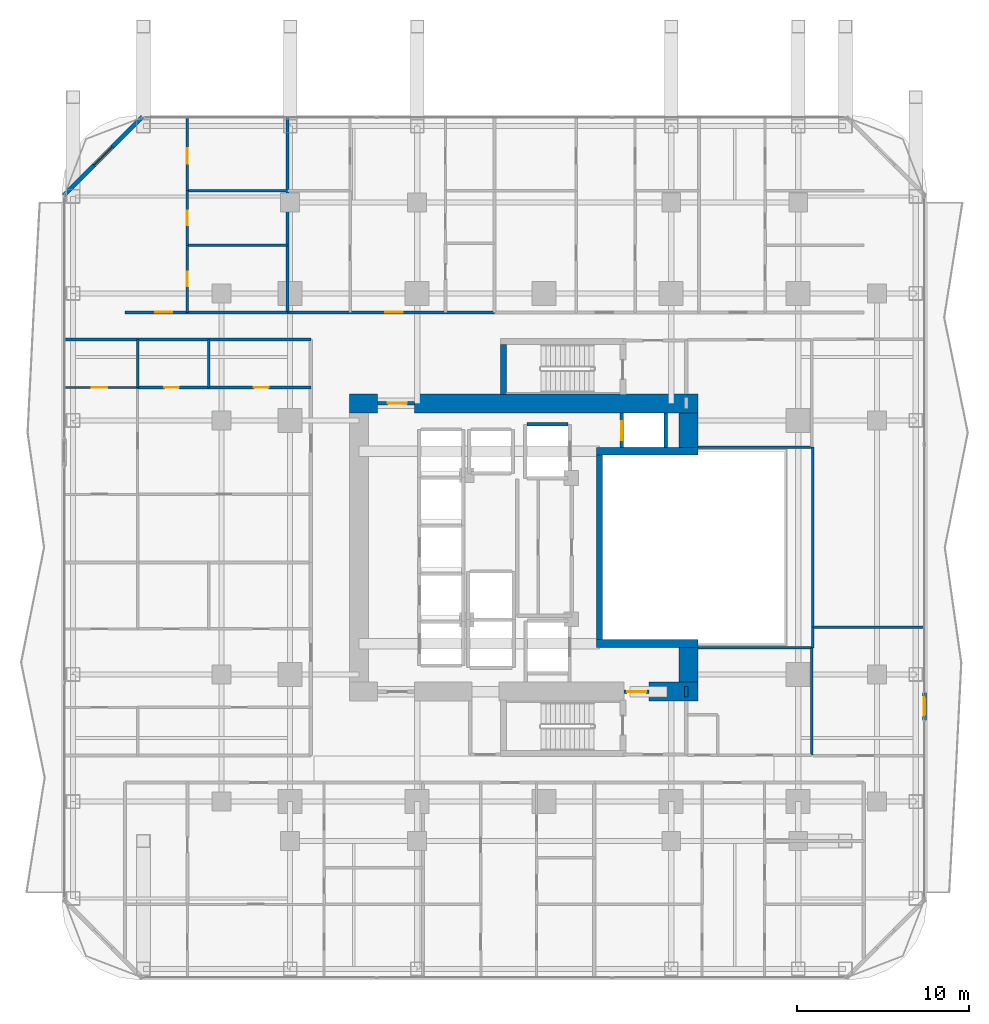
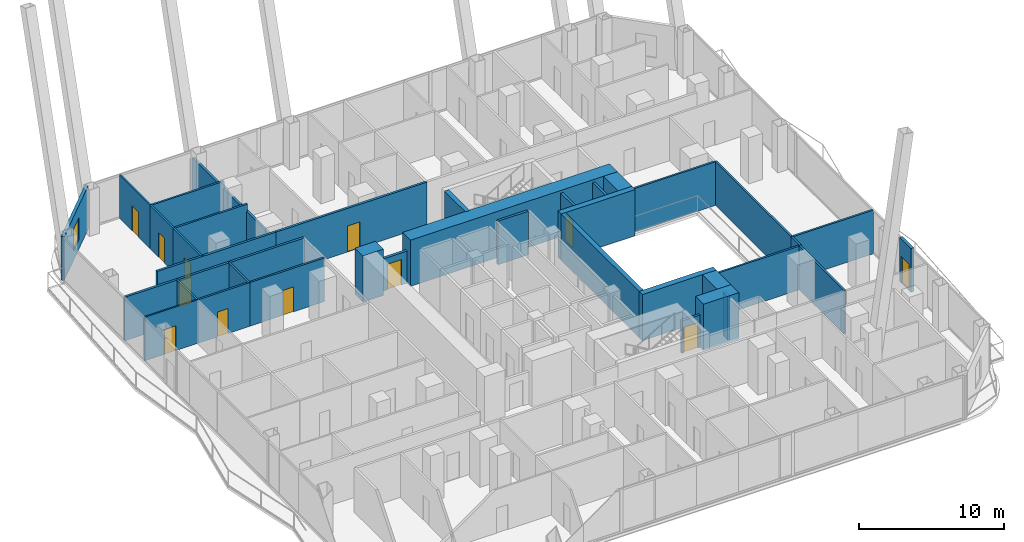
# One storey, part 26 of 33: 37 walls, 12 doors, 1 window, 13 openings.
"""IFC4 building model written with IfcOpenShell, lengths in metres."""

from ifc_helpers import new_model, si_unit, direction, frame, frame_2d, origin, place, context, subcontext, project, spatial, rectangle, extrude, material, layer, layer_set, type_object, element, fill, save


model = new_model("IFC4")

# Units and contexts
model_context = context("Model", 3, precision=1e-05, world=origin(), true_north=direction((0.0, 1.0)))
body_context = subcontext(model_context, "Body", "Model", "MODEL_VIEW")
ifc_project = project(units=[si_unit("LENGTHUNIT", "METRE"), si_unit("AREAUNIT", "SQUARE_METRE"), si_unit("VOLUMEUNIT", "CUBIC_METRE"), si_unit("PLANEANGLEUNIT", "RADIAN"), si_unit("MASSUNIT", "GRAM", prefix="KILO")], contexts=[model_context])

# Site, building, storey
site_placement = place(None, origin())
site = spatial("IfcSite", under=ifc_project, at=site_placement, CompositionType="ELEMENT")
building_placement = place(site_placement, origin())
building = spatial("IfcBuilding", under=site, at=building_placement, Name="Khorvyn Point Tower", CompositionType="ELEMENT")
storey_placement = place(building_placement, frame((0.0, 0.0, 65.699951171875)))
storey = spatial("IfcBuildingStorey", under=building, at=storey_placement, Name="L17", CompositionType="ELEMENT", Elevation=65.699951171875)

# Wall, opening, door
ifc_material_1 = material(Name="Double acoustic gypsum on twin steel stud", Category="steel")
ifc_layer_1 = layer(ifc_material_1, 0.179931640625)
ifc_layer_set_1 = layer_set([ifc_layer_1], Name="Acoustic Double-Stud Apartment Demising Wall 180")
wall_type_1 = type_object("IfcWallType", Name="Acoustic Double-Stud Apartment Demising Wall 180", PredefinedType="PARTITIONING", material=ifc_layer_set_1)
wall_1_placement = place(storey_placement, frame((-24.419921875, 13.699951171875, 0.0), z_axis=(0.0, 0.0, 1.0), x_axis=(1.0, 0.0, 0.0)))
wall_1 = element("IfcWall", 1, at=wall_1_placement, inside=storey, type_object=wall_type_1, Name="Wall", PredefinedType="PARTITIONING", context=body_context, shape_type="SweptSolid", body=[
    extrude(rectangle(XDim=9.468994140625, YDim=0.179931640625, at=frame_2d((4.734375, 0.0))), origin(), (0.0, 0.0, 1.0), 3.679931640625),
])
opening_1_placement = place(wall_1_placement, frame((1.75439453125, 0.0, 0.0)))
opening_1 = element("IfcOpeningElement", 2, at=opening_1_placement, cuts=wall_1, Name="Opening ID-AP60", PredefinedType="OPENING", context=body_context, shape_type="SweptSolid", body=[
    extrude(rectangle(XDim=1.0, YDim=2.199951171875, at=frame_2d((0.5, 1.10009765625))), frame((0.0, 0.099853515625, 0.0), z_axis=(0.0, -1.0, 0.0), x_axis=(1.0, 0.0, 0.0)), (0.0, 0.0, 1.0), 0.199951171875),
])
ifc_material_2 = material(Name="Engineered hardwood fire-rated leaf", Category="wood")
door_type_1 = type_object("IfcDoorType", Name="Acoustic Solid-Core Timber Apartment Entrance Door 1000x2200", OperationType="NOTDEFINED", PredefinedType="DOOR", material=ifc_material_2)
door_1_placement = place(opening_1_placement, origin())
door_1 = element("IfcDoor", 3, at=door_1_placement, inside=storey, type_object=door_type_1, Name="Door", OperationType="SINGLE_SWING_RIGHT", OverallHeight=2.199951171875, OverallWidth=1.0, PredefinedType="DOOR", context=body_context, shape_type="SweptSolid", body=[
    extrude(rectangle(XDim=1.0, YDim=2.199951171875, at=frame_2d((0.5, 1.10009765625))), frame((0.0, 0.02490234375, 0.0), z_axis=(0.0, -1.0, 0.0), x_axis=(1.0, 0.0, 0.0)), (0.0, 0.0, 1.0), 0.050048828125),
])
fill(opening_1, door_1)

wall_2_placement = place(storey_placement, frame((-14.950927734375, 13.699951171875, 0.0), z_axis=(0.0, 0.0, 1.0), x_axis=(1.0, 0.0, 0.0)))
wall_2 = element("IfcWall", 4, at=wall_2_placement, inside=storey, type_object=wall_type_1, Name="Wall", PredefinedType="PARTITIONING", context=body_context, shape_type="SweptSolid", body=[
    extrude(rectangle(XDim=12.051025390625, YDim=0.179931640625, at=frame_2d((6.025390625, 0.0))), origin(), (0.0, 0.0, 1.0), 3.679931640625),
])
opening_2_placement = place(wall_2_placement, frame((5.704345703125, 0.0, 0.0)))
opening_2 = element("IfcOpeningElement", 5, at=opening_2_placement, cuts=wall_2, Name="Opening ID-AP60", PredefinedType="OPENING", context=body_context, shape_type="SweptSolid", body=[
    extrude(rectangle(XDim=1.0, YDim=2.199951171875, at=frame_2d((0.5, 1.10009765625))), frame((0.0, 0.099853515625, 0.0), z_axis=(0.0, -1.0, 0.0), x_axis=(1.0, 0.0, 0.0)), (0.0, 0.0, 1.0), 0.199951171875),
])
door_2_placement = place(opening_2_placement, origin())
door_2 = element("IfcDoor", 6, at=door_2_placement, inside=storey, type_object=door_type_1, Name="Door", OperationType="SINGLE_SWING_RIGHT", OverallHeight=2.199951171875, OverallWidth=1.0, PredefinedType="DOOR", context=body_context, shape_type="SweptSolid", body=[
    extrude(rectangle(XDim=1.0, YDim=2.199951171875, at=frame_2d((0.5, 1.10009765625))), frame((0.0, 0.02490234375, 0.0), z_axis=(0.0, -1.0, 0.0), x_axis=(1.0, 0.0, 0.0)), (0.0, 0.0, 1.0), 0.050048828125),
])
fill(opening_2, door_2)

# Walls
wall_3_placement = place(storey_placement, frame((-14.950927734375, 13.699951171875, 0.0), z_axis=(0.0, 0.0, 1.0), x_axis=(0.0, 1.0, 0.0)))
element("IfcWall", 7, at=wall_3_placement, inside=storey, type_object=wall_type_1, Name="Wall", PredefinedType="PARTITIONING", context=body_context, shape_type="SweptSolid", body=[
    extrude(rectangle(XDim=11.330078125, YDim=0.179931640625, at=frame_2d((5.6650390625, 0.0))), origin(), (0.0, 0.0, 1.0), 3.08203125),
])
wall_4_placement = place(storey_placement, frame((-27.929931640625, 12.1201171875, 0.0), z_axis=(0.0, 0.0, 1.0), x_axis=(1.0, 0.0, 0.0)))
element("IfcWall", 8, at=wall_4_placement, inside=storey, type_object=wall_type_1, Name="Wall", PredefinedType="PARTITIONING", context=body_context, shape_type="SweptSolid", body=[
    extrude(rectangle(XDim=14.329833984375, YDim=0.179931640625, at=frame_2d((7.1650390625, 0.0))), origin(), (0.0, 0.0, 1.0), 3.679931640625),
])

# Wall, opening, door
ifc_material_3 = material(Name="Pale anodised aluminium rainscreen on steel stud", Category="steel")
ifc_layer_2 = layer(ifc_material_3, 0.239990234375)
ifc_layer_set_2 = layer_set([ifc_layer_2], Name="Anodised Aluminium Insulated Corner Spandrel Wall 240")
wall_type_2 = type_object("IfcWallType", Name="Anodised Aluminium Insulated Corner Spandrel Wall 240", PredefinedType="SOLIDWALL", material=ifc_layer_set_2)
wall_5_placement = place(storey_placement, frame((22.14990234375, -8.47802734375, 0.0), z_axis=(0.0, 0.0, 1.0), x_axis=(0.0, -1.0, 0.0)))
wall_5 = element("IfcWall", 9, at=wall_5_placement, inside=storey, type_object=wall_type_2, Name="L17 East Outdoor Threshold Wall", PredefinedType="SOLIDWALL", context=body_context, shape_type="SweptSolid", body=[
    extrude(rectangle(XDim=1.580078125, YDim=0.239990234375, at=frame_2d((0.7900390625, 0.0))), origin(), (0.0, 0.0, 1.0), 3.679931640625),
])
opening_3_placement = place(wall_5_placement, frame((0.239990234375, 0.0, 0.0)))
opening_3 = element("IfcOpeningElement", 10, at=opening_3_placement, cuts=wall_5, Name="Opening BD-1122", PredefinedType="OPENING", context=body_context, shape_type="SweptSolid", body=[
    extrude(rectangle(XDim=1.10009765625, YDim=2.199951171875, at=frame_2d((0.550048828125, 1.10009765625))), frame((0.0, 0.1298828125, 0.0), z_axis=(0.0, -1.0, 0.0), x_axis=(1.0, 0.0, 0.0)), (0.0, 0.0, 1.0), 0.260009765625),
])
ifc_material_4 = material(Name="Anodised aluminium 6063-T6 and laminated Low-E glass", Category="aluminium")
door_type_2 = type_object("IfcDoorType", Name="Glazed Balcony and Terrace Threshold Door 1100x2200", OperationType="NOTDEFINED", PredefinedType="DOOR", material=ifc_material_4)
door_3_placement = place(opening_3_placement, origin())
door_3 = element("IfcDoor", 11, at=door_3_placement, inside=storey, type_object=door_type_2, Name="L17 East Glazed Balcony Outdoor Door", OperationType="SINGLE_SWING_LEFT", OverallHeight=2.199951171875, OverallWidth=1.10009765625, PredefinedType="DOOR", context=body_context, shape_type="SweptSolid", body=[
    extrude(rectangle(XDim=1.10009765625, YDim=2.199951171875, at=frame_2d((0.550048828125, 1.10009765625))), frame((0.0, 0.02490234375, 0.0), z_axis=(0.0, -1.0, 0.0), x_axis=(1.0, 0.0, 0.0)), (0.0, 0.0, 1.0), 0.050048828125),
])
fill(opening_3, door_3)

# Wall, opening, window
wall_6_placement = place(storey_placement, frame((-27.992431640625, 20.507568359375, 0.0), z_axis=(0.0, 0.0, 1.0), x_axis=(0.707106781187, 0.707106781187, 0.0)))
wall_6 = element("IfcWall", 12, at=wall_6_placement, inside=storey, type_object=wall_type_2, Name="L17 Rounded Corner Wall NW", PredefinedType="SOLIDWALL", context=body_context, shape_type="SweptSolid", body=[
    extrude(rectangle(XDim=6.48388671875, YDim=0.239990234375, at=frame_2d((3.241943359375, 0.0))), origin(), (0.0, 0.0, 1.0), 3.679931640625),
])
opening_4_placement = place(wall_6_placement, frame((2.491943359375, 0.0, 0.800048828125)))
opening_4 = element("IfcOpeningElement", 13, at=opening_4_placement, cuts=wall_6, Name="Opening WN-1518", PredefinedType="OPENING", context=body_context, shape_type="SweptSolid", body=[
    extrude(rectangle(XDim=1.5, YDim=1.85009765625, at=frame_2d((0.75, 0.925048828125))), frame((0.0, 0.1298828125, 0.0), z_axis=(0.0, -1.0, 0.0), x_axis=(1.0, 0.0, 0.0)), (0.0, 0.0, 1.0), 0.260009765625),
])
window_type = type_object("IfcWindowType", Name="Anodised Aluminium Rounded-Corner Panoramic Window 1500x1850", PartitioningType="SINGLE_PANEL", PredefinedType="WINDOW", material=ifc_material_4)
window_placement = place(opening_4_placement, origin())
window = element("IfcWindow", 14, at=window_placement, inside=storey, type_object=window_type, Name="L17 Corner Panoramic Window NW", OverallHeight=1.85009765625, OverallWidth=1.5, PartitioningType="SINGLE_PANEL", PredefinedType="WINDOW", context=body_context, shape_type="SweptSolid", body=[
    extrude(rectangle(XDim=1.5, YDim=1.85009765625, at=frame_2d((0.75, 0.925048828125))), frame((0.0, 0.030029296875, 0.0), z_axis=(0.0, -1.0, 0.0), x_axis=(1.0, 0.0, 0.0)), (0.0, 0.0, 1.0), 0.06005859375),
])
fill(opening_4, window)

# Walls
ifc_material_5 = material(Name="Concrete C40/50", Category="concrete")
ifc_layer_3 = layer(ifc_material_5, 0.449951171875)
ifc_layer_set_3 = layer_set([ifc_layer_3], Name="Concrete C40/50 Core Shear Wall 450")
wall_type_3 = type_object("IfcWallType", Name="Concrete C40/50 Core Shear Wall 450", PredefinedType="SHEAR", material=ifc_layer_set_3)
for number, where, z_axis, x_axis, name in (
    (15, (3.044921875, -5.60009765625, 0.0), (0.0, 0.0, 1.0), (1.0, 0.0, 0.0), "Wall"),
    (16, (3.044921875, 5.60009765625, 0.0), (0.0, 0.0, 1.0), (1.0, 0.0, 0.0), "Wall"),
):
    element("IfcWall", number, at=place(storey_placement, frame(where, z_axis=z_axis, x_axis=x_axis)), inside=storey, type_object=wall_type_3, Name=name, PredefinedType="SHEAR", context=body_context, shape_type="SweptSolid", body=[
        extrude(rectangle(XDim=5.905029296875, YDim=0.449951171875, at=frame_2d((2.95263671875, 0.0))), origin(), (0.0, 0.0, 1.0), 3.900146484375),
    ])

# Wall, opening, door
ifc_layer_4 = layer(ifc_material_5, 0.199951171875)
ifc_layer_set_4 = layer_set([ifc_layer_4], Name="Concrete C40/50 Fire-Lobby Compartment Wall 200")
wall_type_4 = type_object("IfcWallType", Name="Concrete C40/50 Fire-Lobby Compartment Wall 200", PredefinedType="SOLIDWALL", material=ifc_layer_set_4)
wall_7_placement = place(storey_placement, frame((4.64990234375, -8.39990234375, 0.0), z_axis=(0.0, 0.0, 1.0), x_axis=(1.0, 0.0, 0.0)))
wall_7 = element("IfcWall", 17, at=wall_7_placement, inside=storey, type_object=wall_type_4, Name="Wall", PredefinedType="SOLIDWALL", context=body_context, shape_type="SweptSolid", body=[
    extrude(rectangle(XDim=1.47021484375, YDim=0.199951171875, at=frame_2d((0.735107421875, 0.0))), origin(), (0.0, 0.0, 1.0), 2.719970703125),
])
opening_5_placement = place(wall_7_placement, frame((0.18505859375, 0.0, 0.0)))
opening_5 = element("IfcOpeningElement", 18, at=opening_5_placement, cuts=wall_7, Name="Opening ID-FL90", PredefinedType="OPENING", context=body_context, shape_type="SweptSolid", body=[
    extrude(rectangle(XDim=1.10009765625, YDim=2.14990234375, at=frame_2d((0.550048828125, 1.074951171875))), frame((0.0, 0.10986328125, 0.0), z_axis=(0.0, -1.0, 0.0), x_axis=(1.0, 0.0, 0.0)), (0.0, 0.0, 1.0), 0.219970703125),
])
ifc_material_6 = material(Name="Galvanised powder-coated steel", Category="steel")
door_type_3 = type_object("IfcDoorType", Name="Fire-Rated Steel Lobby and Stair Door 1100x2150", OperationType="NOTDEFINED", PredefinedType="DOOR", material=ifc_material_6)
door_4_placement = place(opening_5_placement, origin())
door_4 = element("IfcDoor", 19, at=door_4_placement, inside=storey, type_object=door_type_3, Name="Door", OperationType="SINGLE_SWING_RIGHT", OverallHeight=2.14990234375, OverallWidth=1.10009765625, PredefinedType="DOOR", context=body_context, shape_type="SweptSolid", body=[
    extrude(rectangle(XDim=1.10009765625, YDim=2.14990234375, at=frame_2d((0.550048828125, 1.074951171875))), frame((0.0, 0.02490234375, 0.0), z_axis=(0.0, -1.0, 0.0), x_axis=(1.0, 0.0, 0.0)), (0.0, 0.0, 1.0), 0.050048828125),
])
fill(opening_5, door_4)

wall_8_placement = place(storey_placement, frame((-9.699951171875, 8.39990234375, 0.0), z_axis=(0.0, 0.0, 1.0), x_axis=(1.0, 0.0, 0.0)))
wall_8 = element("IfcWall", 20, at=wall_8_placement, inside=storey, type_object=wall_type_4, Name="Wall", PredefinedType="SOLIDWALL", context=body_context, shape_type="SweptSolid", body=[
    extrude(rectangle(XDim=2.14990234375, YDim=0.199951171875, at=frame_2d((1.074951171875, 0.0))), origin(), (0.0, 0.0, 1.0), 2.719970703125),
])
opening_6_placement = place(wall_8_placement, frame((0.597900390625, 0.0, 0.0)))
opening_6 = element("IfcOpeningElement", 21, at=opening_6_placement, cuts=wall_8, Name="Opening ID-FL90", PredefinedType="OPENING", context=body_context, shape_type="SweptSolid", body=[
    extrude(rectangle(XDim=1.10009765625, YDim=2.14990234375, at=frame_2d((0.550048828125, 1.074951171875))), frame((0.0, 0.10986328125, 0.0), z_axis=(0.0, -1.0, 0.0), x_axis=(1.0, 0.0, 0.0)), (0.0, 0.0, 1.0), 0.219970703125),
])
door_5_placement = place(opening_6_placement, origin())
door_5 = element("IfcDoor", 22, at=door_5_placement, inside=storey, type_object=door_type_3, Name="Door", OperationType="SINGLE_SWING_LEFT", OverallHeight=2.14990234375, OverallWidth=1.10009765625, PredefinedType="DOOR", context=body_context, shape_type="SweptSolid", body=[
    extrude(rectangle(XDim=1.10009765625, YDim=2.14990234375, at=frame_2d((0.550048828125, 1.074951171875))), frame((0.0, 0.02490234375, 0.0), z_axis=(0.0, -1.0, 0.0), x_axis=(1.0, 0.0, 0.0)), (0.0, 0.0, 1.0), 0.050048828125),
])
fill(opening_6, door_5)

# Walls
wall_9_placement = place(storey_placement, frame((8.280029296875, -8.72509765625, 0.0), z_axis=(0.0, 0.0, 1.0), x_axis=(0.0, 1.0, 0.0)))
element("IfcWall", 23, at=wall_9_placement, inside=storey, type_object=wall_type_4, Name="Wall", PredefinedType="SOLIDWALL", context=body_context, shape_type="SweptSolid", body=[
    extrude(rectangle(XDim=0.625, YDim=0.199951171875, at=frame_2d((0.3125, 0.0))), origin(), (0.0, 0.0, 1.0), 3.679931640625),
])
ifc_layer_5 = layer(ifc_material_5, 0.35009765625)
ifc_layer_set_5 = layer_set([ifc_layer_5], Name="Concrete C40/50 Stair Shaft Structural Wall 350")
wall_type_5 = type_object("IfcWallType", Name="Concrete C40/50 Stair Shaft Structural Wall 350", PredefinedType="SHEAR", material=ifc_layer_set_5)
wall_10_placement = place(storey_placement, frame((3.219970703125, -5.375, 0.0), z_axis=(0.0, 0.0, 1.0), x_axis=(0.0, 1.0, 0.0)))
element("IfcWall", 24, at=wall_10_placement, inside=storey, type_object=wall_type_5, Name="Wall", PredefinedType="SHEAR", context=body_context, shape_type="SweptSolid", body=[
    extrude(rectangle(XDim=10.75, YDim=0.35009765625, at=frame_2d((5.375, 0.0))), origin(), (0.0, 0.0, 1.0), 3.900146484375),
])
wall_11_placement = place(storey_placement, frame((-2.3798828125, 8.89990234375, 0.0), z_axis=(0.0, 0.0, 1.0), x_axis=(0.0, 1.0, 0.0)))
element("IfcWall", 25, at=wall_11_placement, inside=storey, type_object=wall_type_5, Name="L17 ST-02 West Shaft Wall", PredefinedType="SHEAR", context=body_context, shape_type="SweptSolid", body=[
    extrude(rectangle(XDim=2.925048828125, YDim=0.35009765625, at=frame_2d((1.46240234375, 0.0))), origin(), (0.0, 0.0, 1.0), 3.900146484375),
])
ifc_layer_6 = layer(ifc_material_5, 0.199951171875)
ifc_layer_set_6 = layer_set([ifc_layer_6], Name="Concrete C40/50 Structural Hoistway and Stair Shaft Wall 200")
wall_type_6 = type_object("IfcWallType", Name="Concrete C40/50 Structural Hoistway and Stair Shaft Wall 200", PredefinedType="SHEAR", material=ifc_layer_set_6)
wall_12_placement = place(storey_placement, frame((-1.0, 7.175048828125, 0.0), z_axis=(0.0, 0.0, 1.0), x_axis=(1.0, 0.0, 0.0)))
element("IfcWall", 26, at=wall_12_placement, inside=storey, type_object=wall_type_6, Name="Wall", PredefinedType="SHEAR", context=body_context, shape_type="SweptSolid", body=[
    extrude(rectangle(XDim=2.39990234375, YDim=0.199951171875, at=frame_2d((1.199951171875, 0.0))), origin(), (0.0, 0.0, 1.0), 3.679931640625),
])

# Wall, opening, door
wall_13_placement = place(storey_placement, frame((4.52490234375, 5.824951171875, 0.0), z_axis=(0.0, 0.0, 1.0), x_axis=(0.0, 1.0, 0.0)))
wall_13 = element("IfcWall", 27, at=wall_13_placement, inside=storey, type_object=wall_type_6, Name="Wall", PredefinedType="SHEAR", context=body_context, shape_type="SweptSolid", body=[
    extrude(rectangle(XDim=2.025146484375, YDim=0.199951171875, at=frame_2d((1.0126953125, 0.0))), origin(), (0.0, 0.0, 1.0), 3.679931640625),
])
opening_7_placement = place(wall_13_placement, frame((0.425048828125, 0.0, 0.0)))
opening_7 = element("IfcOpeningElement", 28, at=opening_7_placement, cuts=wall_13, Name="Opening LD-1122", PredefinedType="OPENING", context=body_context, shape_type="SweptSolid", body=[
    extrude(rectangle(XDim=1.10009765625, YDim=2.199951171875, at=frame_2d((0.550048828125, 1.10009765625))), frame((0.0, 0.10986328125, 0.0), z_axis=(0.0, -1.0, 0.0), x_axis=(1.0, 0.0, 0.0)), (0.0, 0.0, 1.0), 0.219970703125),
])
ifc_material_7 = material(Name="Stainless steel 1.4301", Category="steel")
door_type_4 = type_object("IfcDoorType", Name="Stainless Steel Automatic Sliding Lift Landing Door 1100x2200", OperationType="SLIDING_TO_LEFT", PredefinedType="DOOR", material=ifc_material_7)
door_6_placement = place(opening_7_placement, origin())
door_6 = element("IfcDoor", 29, at=door_6_placement, inside=storey, type_object=door_type_4, Name="L17 FF-02 Sliding Lift Landing Door", OperationType="SLIDING_TO_LEFT", OverallHeight=2.199951171875, OverallWidth=1.10009765625, PredefinedType="DOOR", context=body_context, shape_type="SweptSolid", body=[
    extrude(rectangle(XDim=1.10009765625, YDim=2.199951171875, at=frame_2d((0.550048828125, 1.10009765625))), frame((0.0, 0.02490234375, 0.0), z_axis=(0.0, -1.0, 0.0), x_axis=(1.0, 0.0, 0.0)), (0.0, 0.0, 1.0), 0.050048828125),
])
fill(opening_7, door_6)

# Walls
wall_14_placement = place(storey_placement, frame((7.074951171875, 5.824951171875, 0.0), z_axis=(0.0, 0.0, 1.0), x_axis=(0.0, 1.0, 0.0)))
element("IfcWall", 30, at=wall_14_placement, inside=storey, type_object=wall_type_6, Name="Wall", PredefinedType="SHEAR", context=body_context, shape_type="SweptSolid", body=[
    extrude(rectangle(XDim=2.025146484375, YDim=0.199951171875, at=frame_2d((1.0126953125, 0.0))), origin(), (0.0, 0.0, 1.0), 3.679931640625),
])
ifc_material_8 = material(Name="Concrete C50/60", Category="concrete")
ifc_layer_7 = layer(ifc_material_8, 1.10009765625)
ifc_layer_set_7 = layer_set([ifc_layer_7], Name="Concrete C50/60 Core Shear Wall 1100")
wall_type_7 = type_object("IfcWallType", Name="Concrete C50/60 Core Shear Wall 1100", PredefinedType="SHEAR", material=ifc_layer_set_7)
wall_15_placement = place(storey_placement, frame((6.1201171875, -8.39990234375, 0.0), z_axis=(0.0, 0.0, 1.0), x_axis=(1.0, 0.0, 0.0)))
element("IfcWall", 31, at=wall_15_placement, inside=storey, type_object=wall_type_7, Name="Wall", PredefinedType="SHEAR", context=body_context, shape_type="SweptSolid", body=[
    extrude(rectangle(XDim=2.829833984375, YDim=1.10009765625, at=frame_2d((1.4150390625, 0.0))), origin(), (0.0, 0.0, 1.0), 3.900146484375),
])
wall_16_placement = place(storey_placement, frame((-11.35009765625, 8.39990234375, 0.0), z_axis=(0.0, 0.0, 1.0), x_axis=(1.0, 0.0, 0.0)))
element("IfcWall", 32, at=wall_16_placement, inside=storey, type_object=wall_type_7, Name="Wall", PredefinedType="SHEAR", context=body_context, shape_type="SweptSolid", body=[
    extrude(rectangle(XDim=1.650146484375, YDim=1.10009765625, at=frame_2d((0.8251953125, 0.0))), origin(), (0.0, 0.0, 1.0), 3.900146484375),
])
wall_17_placement = place(storey_placement, frame((-7.550048828125, 8.39990234375, 0.0), z_axis=(0.0, 0.0, 1.0), x_axis=(1.0, 0.0, 0.0)))
element("IfcWall", 33, at=wall_17_placement, inside=storey, type_object=wall_type_7, Name="Wall", PredefinedType="SHEAR", context=body_context, shape_type="SweptSolid", body=[
    extrude(rectangle(XDim=16.5, YDim=1.10009765625, at=frame_2d((8.25, 0.0))), origin(), (0.0, 0.0, 1.0), 3.900146484375),
])
for number, where, z_axis, x_axis, name in (
    (34, (8.39990234375, -7.85009765625, 0.0), (0.0, 0.0, 1.0), (0.0, 1.0, 0.0), "Wall"),
    (35, (8.39990234375, 5.824951171875, 0.0), (0.0, 0.0, 1.0), (0.0, 1.0, 0.0), "Wall"),
):
    element("IfcWall", number, at=place(storey_placement, frame(where, z_axis=z_axis, x_axis=x_axis)), inside=storey, type_object=wall_type_7, Name=name, PredefinedType="SHEAR", context=body_context, shape_type="SweptSolid", body=[
        extrude(rectangle(XDim=2.025146484375, YDim=1.10009765625, at=frame_2d((1.0126953125, 0.0))), origin(), (0.0, 0.0, 1.0), 3.900146484375),
    ])

# Wall, opening, door
ifc_material_9 = material(Name="Gypsum plasterboard on steel stud", Category="steel")
ifc_layer_8 = layer(ifc_material_9, 0.1201171875)
ifc_layer_set_8 = layer_set([ifc_layer_8], Name="Gypsum Acoustic Stud Room Partition Wall 120")
wall_type_8 = type_object("IfcWallType", Name="Gypsum Acoustic Stud Room Partition Wall 120", PredefinedType="PARTITIONING", material=ifc_layer_set_8)
wall_18_placement = place(storey_placement, frame((-20.797119140625, 20.7900390625, 0.0), z_axis=(0.0, 0.0, 1.0), x_axis=(0.0, 1.0, 0.0)))
wall_18 = element("IfcWall", 36, at=wall_18_placement, inside=storey, type_object=wall_type_8, Name="Wall", PredefinedType="PARTITIONING", context=body_context, shape_type="SweptSolid", body=[
    extrude(rectangle(XDim=4.239990234375, YDim=0.1201171875, at=frame_2d((2.1201171875, 0.0))), origin(), (0.0, 0.0, 1.0), 3.679931640625),
])
opening_8_placement = place(wall_18_placement, frame((1.581298828125, 0.0, 0.0)))
opening_8 = element("IfcOpeningElement", 37, at=opening_8_placement, cuts=wall_18, Name="Opening ID-RM90", PredefinedType="OPENING", context=body_context, shape_type="SweptSolid", body=[
    extrude(rectangle(XDim=0.89990234375, YDim=2.10009765625, at=frame_2d((0.449951171875, 1.050048828125))), frame((0.0, 0.070068359375, 0.0), z_axis=(0.0, -1.0, 0.0), x_axis=(1.0, 0.0, 0.0)), (0.0, 0.0, 1.0), 0.14013671875),
])
ifc_material_10 = material(Name="Engineered oak veneer timber", Category="wood")
door_type_5 = type_object("IfcDoorType", Name="Flush Engineered Timber Room Door 900x2100", OperationType="NOTDEFINED", PredefinedType="DOOR", material=ifc_material_10)
door_7_placement = place(opening_8_placement, origin())
door_7 = element("IfcDoor", 38, at=door_7_placement, inside=storey, type_object=door_type_5, Name="Door", OperationType="SINGLE_SWING_LEFT", OverallHeight=2.10009765625, OverallWidth=0.89990234375, PredefinedType="DOOR", context=body_context, shape_type="SweptSolid", body=[
    extrude(rectangle(XDim=0.89990234375, YDim=2.10009765625, at=frame_2d((0.449951171875, 1.050048828125))), frame((0.0, 0.02490234375, 0.0), z_axis=(0.0, -1.0, 0.0), x_axis=(1.0, 0.0, 0.0)), (0.0, 0.0, 1.0), 0.050048828125),
])
fill(opening_8, door_7)

wall_19_placement = place(storey_placement, frame((-27.929931640625, 9.320068359375, 0.0), z_axis=(0.0, 0.0, 1.0), x_axis=(1.0, 0.0, 0.0)))
wall_19 = element("IfcWall", 39, at=wall_19_placement, inside=storey, type_object=wall_type_8, Name="Wall", PredefinedType="PARTITIONING", context=body_context, shape_type="SweptSolid", body=[
    extrude(rectangle(XDim=4.239990234375, YDim=0.1201171875, at=frame_2d((2.1201171875, 0.0))), origin(), (0.0, 0.0, 1.0), 3.679931640625),
])
opening_9_placement = place(wall_19_placement, frame((1.581298828125, 0.0, 0.0)))
opening_9 = element("IfcOpeningElement", 40, at=opening_9_placement, cuts=wall_19, Name="Opening ID-RM90", PredefinedType="OPENING", context=body_context, shape_type="SweptSolid", body=[
    extrude(rectangle(XDim=0.89990234375, YDim=2.10009765625, at=frame_2d((0.449951171875, 1.050048828125))), frame((0.0, 0.070068359375, 0.0), z_axis=(0.0, -1.0, 0.0), x_axis=(1.0, 0.0, 0.0)), (0.0, 0.0, 1.0), 0.14013671875),
])
door_8_placement = place(opening_9_placement, origin())
door_8 = element("IfcDoor", 41, at=door_8_placement, inside=storey, type_object=door_type_5, Name="Door", OperationType="SINGLE_SWING_RIGHT", OverallHeight=2.10009765625, OverallWidth=0.89990234375, PredefinedType="DOOR", context=body_context, shape_type="SweptSolid", body=[
    extrude(rectangle(XDim=0.89990234375, YDim=2.10009765625, at=frame_2d((0.449951171875, 1.050048828125))), frame((0.0, 0.02490234375, 0.0), z_axis=(0.0, -1.0, 0.0), x_axis=(1.0, 0.0, 0.0)), (0.0, 0.0, 1.0), 0.050048828125),
])
fill(opening_9, door_8)

ifc_material_11 = material(Name="Moisture-resistant gypsum and cement board", Category="gypsum")
ifc_layer_9 = layer(ifc_material_11, 0.14990234375)
ifc_layer_set_9 = layer_set([ifc_layer_9], Name="Moisture-Resistant Wet-Room Partition Wall 150")
wall_type_9 = type_object("IfcWallType", Name="Moisture-Resistant Wet-Room Partition Wall 150", PredefinedType="PARTITIONING", material=ifc_layer_set_9)
wall_20_placement = place(storey_placement, frame((-20.797119140625, 13.699951171875, 0.0), z_axis=(0.0, 0.0, 1.0), x_axis=(0.0, 1.0, 0.0)))
wall_20 = element("IfcWall", 42, at=wall_20_placement, inside=storey, type_object=wall_type_9, Name="Wall", PredefinedType="PARTITIONING", context=body_context, shape_type="SweptSolid", body=[
    extrude(rectangle(XDim=3.899169921875, YDim=0.14990234375, at=frame_2d((1.94970703125, 0.0))), origin(), (0.0, 0.0, 1.0), 3.679931640625),
])
opening_10_placement = place(wall_20_placement, frame((1.5244140625, 0.0, 0.0)))
opening_10 = element("IfcOpeningElement", 43, at=opening_10_placement, cuts=wall_20, Name="Opening ID-WC85", PredefinedType="OPENING", context=body_context, shape_type="SweptSolid", body=[
    extrude(rectangle(XDim=0.85009765625, YDim=2.10009765625, at=frame_2d((0.425048828125, 1.050048828125))), frame((0.0, 0.0849609375, 0.0), z_axis=(0.0, -1.0, 0.0), x_axis=(1.0, 0.0, 0.0)), (0.0, 0.0, 1.0), 0.169921875),
])
ifc_material_12 = material(Name="High-pressure laminate on moisture-resistant core", Category="wood")
door_type_6 = type_object("IfcDoorType", Name="Moisture-Resistant Accessible Washroom Door 850x2100", OperationType="NOTDEFINED", PredefinedType="DOOR", material=ifc_material_12)
door_9_placement = place(opening_10_placement, origin())
door_9 = element("IfcDoor", 44, at=door_9_placement, inside=storey, type_object=door_type_6, Name="Door", OperationType="SINGLE_SWING_LEFT", OverallHeight=2.10009765625, OverallWidth=0.85009765625, PredefinedType="DOOR", context=body_context, shape_type="SweptSolid", body=[
    extrude(rectangle(XDim=0.85009765625, YDim=2.10009765625, at=frame_2d((0.425048828125, 1.050048828125))), frame((0.0, 0.02490234375, 0.0), z_axis=(0.0, -1.0, 0.0), x_axis=(1.0, 0.0, 0.0)), (0.0, 0.0, 1.0), 0.050048828125),
])
fill(opening_10, door_9)

wall_21_placement = place(storey_placement, frame((-20.797119140625, 17.59912109375, 0.0), z_axis=(0.0, 0.0, 1.0), x_axis=(0.0, 1.0, 0.0)))
wall_21 = element("IfcWall", 45, at=wall_21_placement, inside=storey, type_object=wall_type_9, Name="Wall", PredefinedType="PARTITIONING", context=body_context, shape_type="SweptSolid", body=[
    extrude(rectangle(XDim=3.19091796875, YDim=0.14990234375, at=frame_2d((1.595458984375, 0.0))), origin(), (0.0, 0.0, 1.0), 3.679931640625),
])
opening_11_placement = place(wall_21_placement, frame((1.17041015625, 0.0, 0.0)))
opening_11 = element("IfcOpeningElement", 46, at=opening_11_placement, cuts=wall_21, Name="Opening ID-WC85", PredefinedType="OPENING", context=body_context, shape_type="SweptSolid", body=[
    extrude(rectangle(XDim=0.85009765625, YDim=2.10009765625, at=frame_2d((0.425048828125, 1.050048828125))), frame((0.0, 0.0849609375, 0.0), z_axis=(0.0, -1.0, 0.0), x_axis=(1.0, 0.0, 0.0)), (0.0, 0.0, 1.0), 0.169921875),
])
door_10_placement = place(opening_11_placement, origin())
door_10 = element("IfcDoor", 47, at=door_10_placement, inside=storey, type_object=door_type_6, Name="Door", OperationType="SINGLE_SWING_RIGHT", OverallHeight=2.10009765625, OverallWidth=0.85009765625, PredefinedType="DOOR", context=body_context, shape_type="SweptSolid", body=[
    extrude(rectangle(XDim=0.85009765625, YDim=2.10009765625, at=frame_2d((0.425048828125, 1.050048828125))), frame((0.0, 0.02490234375, 0.0), z_axis=(0.0, -1.0, 0.0), x_axis=(1.0, 0.0, 0.0)), (0.0, 0.0, 1.0), 0.050048828125),
])
fill(opening_11, door_10)

wall_22_placement = place(storey_placement, frame((-23.68994140625, 9.320068359375, 0.0), z_axis=(0.0, 0.0, 1.0), x_axis=(1.0, 0.0, 0.0)))
wall_22 = element("IfcWall", 48, at=wall_22_placement, inside=storey, type_object=wall_type_9, Name="Wall", PredefinedType="PARTITIONING", context=body_context, shape_type="SweptSolid", body=[
    extrude(rectangle(XDim=4.136962890625, YDim=0.14990234375, at=frame_2d((2.068359375, 0.0))), origin(), (0.0, 0.0, 1.0), 3.679931640625),
])
opening_12_placement = place(wall_22_placement, frame((1.55615234375, 0.0, 0.0)))
opening_12 = element("IfcOpeningElement", 49, at=opening_12_placement, cuts=wall_22, Name="Opening ID-WC85", PredefinedType="OPENING", context=body_context, shape_type="SweptSolid", body=[
    extrude(rectangle(XDim=0.85009765625, YDim=2.10009765625, at=frame_2d((0.425048828125, 1.050048828125))), frame((0.0, 0.0849609375, 0.0), z_axis=(0.0, -1.0, 0.0), x_axis=(1.0, 0.0, 0.0)), (0.0, 0.0, 1.0), 0.169921875),
])
door_11_placement = place(opening_12_placement, origin())
door_11 = element("IfcDoor", 50, at=door_11_placement, inside=storey, type_object=door_type_6, Name="Door", OperationType="SINGLE_SWING_RIGHT", OverallHeight=2.10009765625, OverallWidth=0.85009765625, PredefinedType="DOOR", context=body_context, shape_type="SweptSolid", body=[
    extrude(rectangle(XDim=0.85009765625, YDim=2.10009765625, at=frame_2d((0.425048828125, 1.050048828125))), frame((0.0, 0.02490234375, 0.0), z_axis=(0.0, -1.0, 0.0), x_axis=(1.0, 0.0, 0.0)), (0.0, 0.0, 1.0), 0.050048828125),
])
fill(opening_12, door_11)

wall_23_placement = place(storey_placement, frame((-19.552978515625, 9.320068359375, 0.0), z_axis=(0.0, 0.0, 1.0), x_axis=(1.0, 0.0, 0.0)))
wall_23 = element("IfcWall", 51, at=wall_23_placement, inside=storey, type_object=wall_type_9, Name="Wall", PredefinedType="PARTITIONING", context=body_context, shape_type="SweptSolid", body=[
    extrude(rectangle(XDim=5.952880859375, YDim=0.14990234375, at=frame_2d((2.9765625, 0.0))), origin(), (0.0, 0.0, 1.0), 3.679931640625),
])
opening_13_placement = place(wall_23_placement, frame((2.64013671875, 0.0, 0.0)))
opening_13 = element("IfcOpeningElement", 52, at=opening_13_placement, cuts=wall_23, Name="Opening ID-WC85", PredefinedType="OPENING", context=body_context, shape_type="SweptSolid", body=[
    extrude(rectangle(XDim=0.85009765625, YDim=2.10009765625, at=frame_2d((0.425048828125, 1.050048828125))), frame((0.0, 0.0849609375, 0.0), z_axis=(0.0, -1.0, 0.0), x_axis=(1.0, 0.0, 0.0)), (0.0, 0.0, 1.0), 0.169921875),
])
door_12_placement = place(opening_13_placement, origin())
door_12 = element("IfcDoor", 53, at=door_12_placement, inside=storey, type_object=door_type_6, Name="Door", OperationType="SINGLE_SWING_LEFT", OverallHeight=2.10009765625, OverallWidth=0.85009765625, PredefinedType="DOOR", context=body_context, shape_type="SweptSolid", body=[
    extrude(rectangle(XDim=0.85009765625, YDim=2.10009765625, at=frame_2d((0.425048828125, 1.050048828125))), frame((0.0, 0.02490234375, 0.0), z_axis=(0.0, -1.0, 0.0), x_axis=(1.0, 0.0, 0.0)), (0.0, 0.0, 1.0), 0.050048828125),
])
fill(opening_13, door_12)

# Walls
wall_24_placement = place(storey_placement, frame((15.580078125, -12.10009765625, 0.0), z_axis=(0.0, 0.0, 1.0), x_axis=(0.0, 1.0, 0.0)))
element("IfcWall", 54, at=wall_24_placement, inside=storey, type_object=wall_type_9, Name="Wall", PredefinedType="PARTITIONING", context=body_context, shape_type="SweptSolid", body=[
    extrude(rectangle(XDim=6.25, YDim=0.14990234375, at=frame_2d((3.125, 0.0))), origin(), (0.0, 0.0, 1.0), 3.679931640625),
])
for number, where, z_axis, x_axis, name in (
    (55, (8.9599609375, -5.85009765625, 0.0), (0.0, 0.0, 1.0), (1.0, 0.0, 0.0), "Wall"),
    (56, (8.9599609375, 5.85009765625, 0.0), (0.0, 0.0, 1.0), (1.0, 0.0, 0.0), "Wall"),
):
    element("IfcWall", number, at=place(storey_placement, frame(where, z_axis=z_axis, x_axis=x_axis)), inside=storey, type_object=wall_type_9, Name=name, PredefinedType="PARTITIONING", context=body_context, shape_type="SweptSolid", body=[
        extrude(rectangle(XDim=6.6201171875, YDim=0.14990234375, at=frame_2d((3.31005859375, 0.0))), origin(), (0.0, 0.0, 1.0), 3.679931640625),
    ])
for number, where, z_axis, x_axis, name in (
    (57, (-20.797119140625, 17.59912109375, 0.0), (0.0, 0.0, 1.0), (1.0, 0.0, 0.0), "Wall"),
    (58, (-20.797119140625, 20.7900390625, 0.0), (0.0, 0.0, 1.0), (1.0, 0.0, 0.0), "Wall"),
):
    element("IfcWall", number, at=place(storey_placement, frame(where, z_axis=z_axis, x_axis=x_axis)), inside=storey, type_object=wall_type_9, Name=name, PredefinedType="PARTITIONING", context=body_context, shape_type="SweptSolid", body=[
        extrude(rectangle(XDim=5.84619140625, YDim=0.14990234375, at=frame_2d((2.923095703125, 0.0))), origin(), (0.0, 0.0, 1.0), 3.679931640625),
    ])
for number, where, z_axis, x_axis, name in (
    (59, (-19.552978515625, 9.320068359375, 0.0), (0.0, 0.0, 1.0), (0.0, 1.0, 0.0), "Wall"),
    (60, (-23.68994140625, 9.320068359375, 0.0), (0.0, 0.0, 1.0), (0.0, 1.0, 0.0), "Wall"),
):
    element("IfcWall", number, at=place(storey_placement, frame(where, z_axis=z_axis, x_axis=x_axis)), inside=storey, type_object=wall_type_9, Name=name, PredefinedType="PARTITIONING", context=body_context, shape_type="SweptSolid", body=[
        extrude(rectangle(XDim=2.800048828125, YDim=0.14990234375, at=frame_2d((1.39990234375, 0.0))), origin(), (0.0, 0.0, 1.0), 3.679931640625),
    ])
wall_25_placement = place(storey_placement, frame((15.64990234375, -5.85009765625, 0.0), z_axis=(0.0, 0.0, 1.0), x_axis=(0.0, 1.0, 0.0)))
element("IfcWall", 61, at=wall_25_placement, inside=storey, type_object=wall_type_9, Name="Wall", PredefinedType="PARTITIONING", context=body_context, shape_type="SweptSolid", body=[
    extrude(rectangle(XDim=1.2001953125, YDim=0.14990234375, at=frame_2d((0.60009765625, 0.0))), origin(), (0.0, 0.0, 1.0), 3.679931640625),
])
wall_26_placement = place(storey_placement, frame((15.64990234375, -4.64990234375, 0.0), z_axis=(0.0, 0.0, 1.0), x_axis=(0.0, 1.0, 0.0)))
element("IfcWall", 62, at=wall_26_placement, inside=storey, type_object=wall_type_9, Name="Wall", PredefinedType="PARTITIONING", context=body_context, shape_type="SweptSolid", body=[
    extrude(rectangle(XDim=10.5, YDim=0.14990234375, at=frame_2d((5.25, 0.0))), origin(), (0.0, 0.0, 1.0), 3.679931640625),
])
wall_27_placement = place(storey_placement, frame((15.64990234375, -4.64990234375, 0.0), z_axis=(0.0, 0.0, 1.0), x_axis=(1.0, 0.0, 0.0)))
element("IfcWall", 63, at=wall_27_placement, inside=storey, type_object=wall_type_9, Name="Wall", PredefinedType="PARTITIONING", context=body_context, shape_type="SweptSolid", body=[
    extrude(rectangle(XDim=6.47998046875, YDim=0.14990234375, at=frame_2d((3.239990234375, 0.0))), origin(), (0.0, 0.0, 1.0), 3.679931640625),
])

save(model, "model.ifc")
